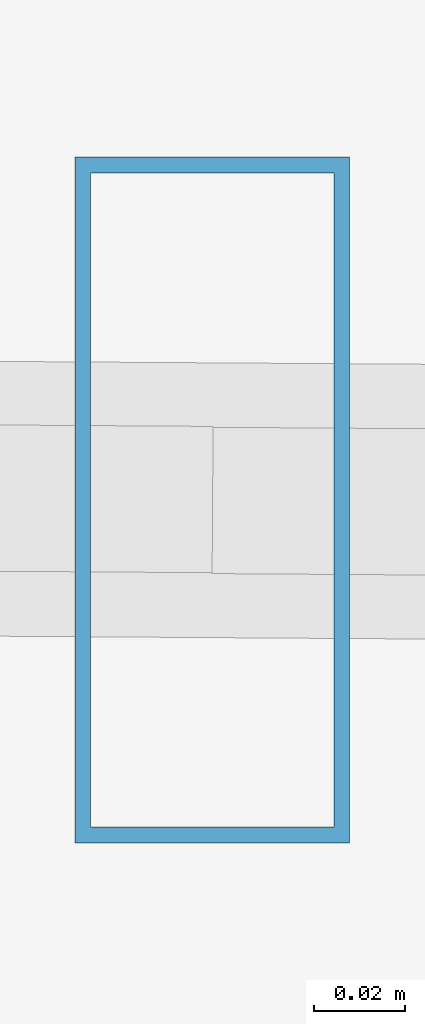
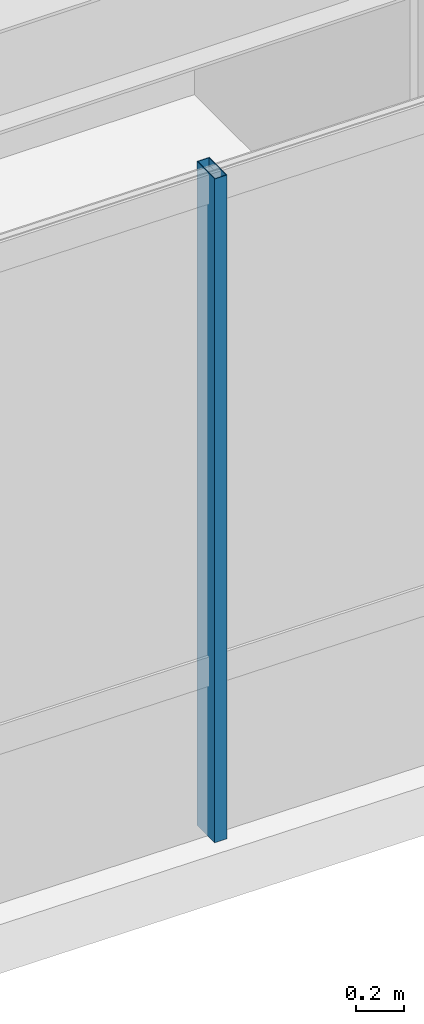
# One storey, part 17 of 41: 1 member, 1 element without a shape of its own.
"""IFC4 building model written with IfcOpenShell, lengths in metres."""

from ifc_helpers import new_model, si_unit, direction, frame, origin, origin_2d, place, context, subcontext, project, spatial, hollow_rectangle, extrude, source, transform, mapped, material, material_profile, profile_set, type_object, type_shapes, element, aggregate, save


model = new_model("IFC4")

# Units and contexts
model_context = context("Model", 3, precision=1e-05, world=origin(), true_north=direction((0.0, 1.0)))
body_context = subcontext(model_context, "Body", "Model", "MODEL_VIEW")
ifc_project = project(units=[si_unit("LENGTHUNIT", "METRE"), si_unit("AREAUNIT", "SQUARE_METRE"), si_unit("VOLUMEUNIT", "CUBIC_METRE"), si_unit("PLANEANGLEUNIT", "RADIAN"), si_unit("MASSUNIT", "GRAM", prefix="KILO")], contexts=[model_context])

# Site, building, storey
site_placement = place(None, origin())
site = spatial("IfcSite", under=ifc_project, at=site_placement, CompositionType="ELEMENT")
building_placement = place(site_placement, origin())
building = spatial("IfcBuilding", under=site, at=building_placement, Name="Caelisora Broadcast Tower", CompositionType="ELEMENT")
storey_placement = place(building_placement, frame((0.0, 0.0, 180.39990234375)))
storey = spatial("IfcBuildingStorey", under=building, at=storey_placement, Name="L47", CompositionType="ELEMENT", Elevation=180.39990234375)

# Curtain wall, member
ifc_material_1 = material(Name="Unitised Aluminium and Low-E Glass Curtain Wall", Category="glass")
curtain_wall_type = type_object("IfcCurtainWallType", Name="CW-Z3", PredefinedType="NOTDEFINED", material=ifc_material_1)
curtain_wall_placement = place(storey_placement, origin())
curtain_wall = element("IfcCurtainWall", 1, at=curtain_wall_placement, inside=storey, type_object=curtain_wall_type, Name="L47 curtain wall CW-Z3", PredefinedType="NOTDEFINED")
ifc_material_2 = material(Name="Aluminium 6063-T6 Anodised Terracotta Bronze", Category="aluminium")
ifc_material_profile = material_profile(ifc_material_2, hollow_rectangle(XDim=0.06005859375, YDim=0.14990234375, WallThickness=0.00341796875, at=origin_2d()), Name="Aluminium 6063-T6 Anodised Terracotta Bronze")
ifc_profile_set = profile_set([ifc_material_profile], Name="Aluminium 6063-T6 Anodised Terracotta Bronze")
member_type = type_object("IfcMemberType", Name="CWM-03", PredefinedType="MULLION", material=ifc_profile_set)
shared_shape = source(origin(), body_context, "Body", "SweptSolid", [
    extrude(hollow_rectangle(XDim=0.06005859375, YDim=0.14990234375, WallThickness=0.00341796875, at=origin_2d()), origin(), (0.0, 0.0, 1.0), 3.400146484375),
])
type_shapes(member_type, [shared_shape])
member_placement = place(storey_placement, frame((49.802734375, 6.47705078125, 0.0), z_axis=(0.0, 0.0, 1.0), x_axis=(1.0, 0.0, 0.0)))
member = element("IfcMember", 2, at=member_placement, type_object=member_type, Name="L47-CW-B05 mullion #2", PredefinedType="MULLION", context=body_context, shape_type="MappedRepresentation", body=[
    mapped(shared_shape, transform((0.0, 0.0, 0.0), scale=1.0)),
])
aggregate(curtain_wall, [member])

save(model, "model.ifc")
